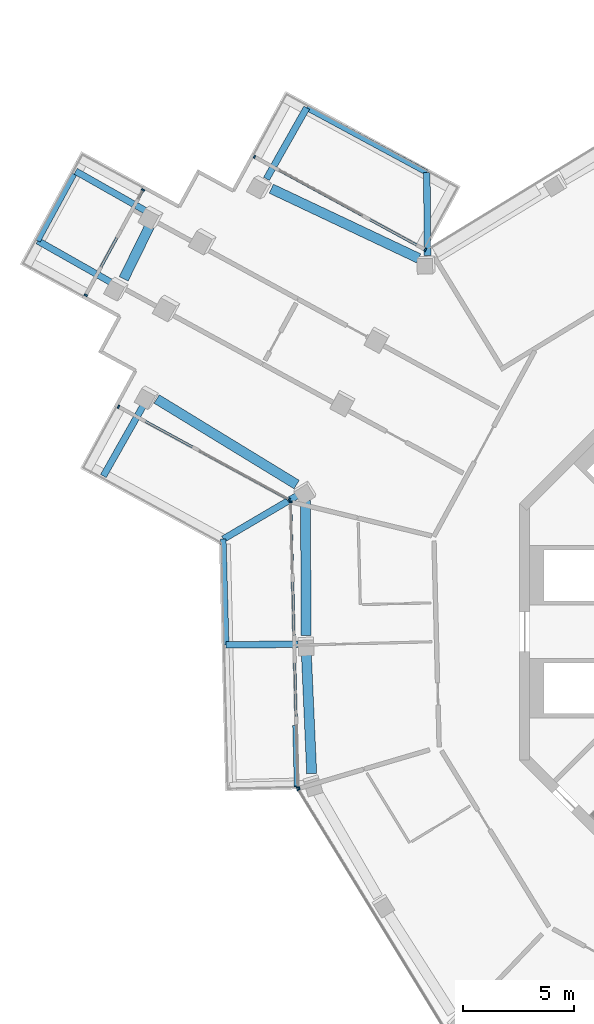
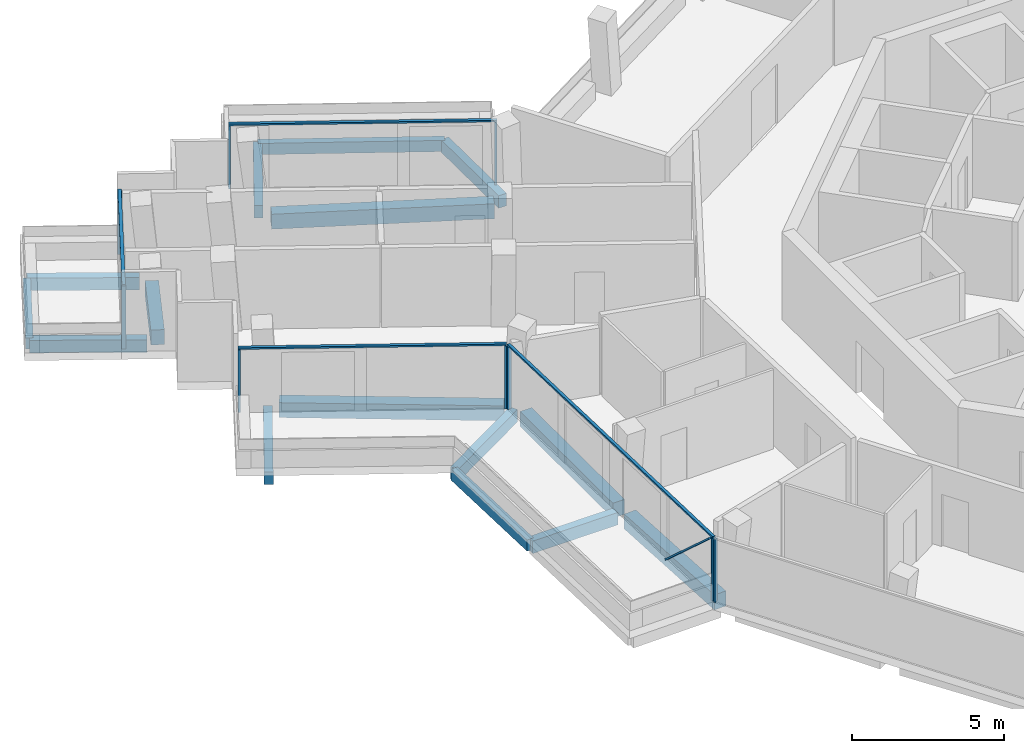
# One storey, part 5 of 26: 15 beams, 14 members, 5 elements without a shape of their own.
"""IFC4 building model written with IfcOpenShell, lengths in metres."""

from ifc_helpers import new_model, si_unit, direction, frame, origin, origin_2d, place, context, subcontext, project, spatial, rectangle, extrude, material, layer, layer_set, material_profile, profile_set, type_object, element, aggregate, save


model = new_model("IFC4")

# Units and contexts
model_context = context("Model", 3, precision=1e-05, world=origin(), true_north=direction((0.0, 1.0)))
body_context = subcontext(model_context, "Body", "Model", "MODEL_VIEW")
ifc_project = project(units=[si_unit("LENGTHUNIT", "METRE"), si_unit("AREAUNIT", "SQUARE_METRE"), si_unit("VOLUMEUNIT", "CUBIC_METRE"), si_unit("PLANEANGLEUNIT", "RADIAN"), si_unit("MASSUNIT", "GRAM", prefix="KILO")], contexts=[model_context])

# Site, building, storey
site_placement = place(None, origin())
site = spatial("IfcSite", under=ifc_project, at=site_placement, CompositionType="ELEMENT")
building_placement = place(site_placement, origin())
building = spatial("IfcBuilding", under=site, at=building_placement, Name="Verdalira Terraces Hotel", CompositionType="ELEMENT")
storey_placement = place(building_placement, frame((0.0, 0.0, 284.5)))
storey = spatial("IfcBuildingStorey", under=building, at=storey_placement, Name="L70", CompositionType="ELEMENT", Elevation=284.5)

# Beams
ifc_material_1 = material(Name="Concrete C40", Category="concrete")
ifc_material_profile_1 = material_profile(ifc_material_1, rectangle(XDim=0.300049, YDim=0.5, at=origin_2d()), Name="RC 300X500")
ifc_profile_set_1 = profile_set([ifc_material_profile_1], Name="Concrete C40")
beam_type_1 = type_object("IfcBeamType", Name="Balcony cantilever beam RC 300X500 C40", PredefinedType="BEAM", material=ifc_profile_set_1)
beam_1_placement = place(storey_placement, frame((-18.159668, 16.990479, -0.560059), z_axis=(-0.008385041, 0.999964845, 0.0), x_axis=(-0.999964845, -0.008385041, 0.0)))
element("IfcBeam", 1, at=beam_1_placement, inside=storey, type_object=beam_type_1, Name="Balcony cantilever beam R00-1", PredefinedType="BEAM", context=body_context, shape_type="SweptSolid", body=[
    extrude(rectangle(XDim=0.300049, YDim=0.5, at=origin_2d()), origin(), (0.0, 0.0, 1.0), 3.756104),
])
beam_2_placement = place(storey_placement, frame((-25.435303, 20.456299, -0.560059), z_axis=(0.492704004, 0.870196969, 0.0), x_axis=(-0.870196969, 0.492704004, 0.0)))
element("IfcBeam", 2, at=beam_2_placement, inside=storey, type_object=beam_type_1, Name="Balcony cantilever beam R00-2", PredefinedType="BEAM", context=body_context, shape_type="SweptSolid", body=[
    extrude(rectangle(XDim=0.300049, YDim=0.5, at=origin_2d()), origin(), (0.0, 0.0, 1.0), 3.693604),
])
beam_3_placement = place(storey_placement, frame((-30.821289, 18.972168, -0.560059), z_axis=(-0.87017442, 0.492743826, 0.0), x_axis=(-0.492743826, -0.87017442, 0.0)))
element("IfcBeam", 3, at=beam_3_placement, inside=storey, type_object=beam_type_1, Name="Balcony cantilever beam R05-1", PredefinedType="BEAM", context=body_context, shape_type="SweptSolid", body=[
    extrude(rectangle(XDim=0.300049, YDim=0.5, at=origin_2d()), origin(), (0.0, 0.0, 1.0), 3.713623),
])
beam_4_placement = place(storey_placement, frame((-32.397217, 15.753662, -0.560059), z_axis=(-0.870174651, 0.492743418, 0.0), x_axis=(-0.492743418, -0.870174651, 0.0)))
element("IfcBeam", 4, at=beam_4_placement, inside=storey, type_object=beam_type_1, Name="Balcony cantilever beam R05-2", PredefinedType="BEAM", context=body_context, shape_type="SweptSolid", body=[
    extrude(rectangle(XDim=0.300049, YDim=0.5, at=origin_2d()), origin(), (0.0, 0.0, 1.0), 3.868164),
])
beam_5_placement = place(storey_placement, frame((-23.976807, 6.19165, -0.560059), z_axis=(-0.861808672, -0.507233489, 0.0), x_axis=(0.507233489, -0.861808672, 0.0)))
element("IfcBeam", 5, at=beam_5_placement, inside=storey, type_object=beam_type_1, Name="Balcony cantilever beam R10-1", PredefinedType="BEAM", context=body_context, shape_type="SweptSolid", body=[
    extrude(rectangle(XDim=0.300049, YDim=0.5, at=origin_2d()), origin(), (0.0, 0.0, 1.0), 3.950195),
])
beam_6_placement = place(storey_placement, frame((-24.001465, -0.5625, -0.560059), z_axis=(-0.999965254, -0.008336173, 0.0), x_axis=(0.008336173, -0.999965254, 0.0)))
element("IfcBeam", 6, at=beam_6_placement, inside=storey, type_object=beam_type_1, Name="Balcony cantilever beam R10-2", PredefinedType="BEAM", context=body_context, shape_type="SweptSolid", body=[
    extrude(rectangle(XDim=0.300049, YDim=0.5, at=origin_2d()), origin(), (0.0, 0.0, 1.0), 3.250732),
])
beam_7_placement = place(storey_placement, frame((-30.912842, 10.367676, -0.560059), z_axis=(-0.492693911, -0.870202683, 0.0), x_axis=(0.870202683, -0.492693911, 0.0)))
element("IfcBeam", 7, at=beam_7_placement, inside=storey, type_object=beam_type_1, Name="Balcony cantilever beam R10-4", PredefinedType="BEAM", context=body_context, shape_type="SweptSolid", body=[
    extrude(rectangle(XDim=0.300049, YDim=0.5, at=origin_2d()), origin(), (0.0, 0.0, 1.0), 3.827881),
])
ifc_material_2 = material(Name="Concrete C40", Category="concrete")
ifc_material_profile_2 = material_profile(ifc_material_2, rectangle(XDim=0.25, YDim=0.449951, at=origin_2d()), Name="RC 250X450")
ifc_profile_set_2 = profile_set([ifc_material_profile_2], Name="Concrete C40")
beam_type_2 = type_object("IfcBeamType", Name="Balcony edge beam RC 250X450 C40", PredefinedType="BEAM", material=ifc_profile_set_2)
beam_8_placement = place(storey_placement, frame((-18.191162, 20.746338, -0.534912), z_axis=(-0.880248375, 0.474513223, 0.0), x_axis=(-0.474513223, -0.880248375, 0.0)))
element("IfcBeam", 8, at=beam_8_placement, inside=storey, type_object=beam_type_2, Name="Balcony edge beam R00-1", PredefinedType="BEAM", context=body_context, shape_type="SweptSolid", body=[
    extrude(rectangle(XDim=0.25, YDim=0.449951, at=origin_2d()), origin(), (0.0, 0.0, 1.0), 6.162354),
])
beam_9_placement = place(storey_placement, frame((-34.124512, 20.670166, -0.534912), z_axis=(-0.478083409, -0.878314439, 0.0), x_axis=(0.878314439, -0.478083409, 0.0)))
element("IfcBeam", 9, at=beam_9_placement, inside=storey, type_object=beam_type_2, Name="Balcony edge beam R05-1", PredefinedType="BEAM", context=body_context, shape_type="SweptSolid", body=[
    extrude(rectangle(XDim=0.25, YDim=0.449951, at=origin_2d()), origin(), (0.0, 0.0, 1.0), 3.42749),
])
beam_10_placement = place(storey_placement, frame((-27.381104, 4.187988, -0.534912), z_axis=(0.026971634, -0.999636199, 0.0), x_axis=(0.999636199, 0.026971634, 0.0)))
element("IfcBeam", 10, at=beam_10_placement, inside=storey, type_object=beam_type_2, Name="Balcony edge beam R10-1", PredefinedType="BEAM", context=body_context, shape_type="SweptSolid", body=[
    extrude(rectangle(XDim=0.25, YDim=0.449951, at=origin_2d()), origin(), (0.0, 0.0, 1.0), 4.779297),
])

# Curtain wall, members
ifc_material_3 = material(Name="Clear glass", Category="glass")
ifc_layer_1 = layer(ifc_material_3, 0.14990234375)
ifc_layer_set_1 = layer_set([ifc_layer_1], Name="CW1 curtain wall")
curtain_wall_type_1 = type_object("IfcCurtainWallType", Name="CW1 curtain wall", PredefinedType="NOTDEFINED", material=ifc_layer_set_1)
curtain_wall_1_placement = place(storey_placement, origin())
curtain_wall_1 = element("IfcCurtainWall", 11, at=curtain_wall_1_placement, inside=storey, type_object=curtain_wall_type_1, Name="CW1 curtain wall L70 edge 11", PredefinedType="NOTDEFINED")
ifc_material_4 = material(Name="Terracotta frame", Category="masonry")
ifc_material_profile_3 = material_profile(ifc_material_4, rectangle(XDim=0.060059, YDim=0.149902, at=origin_2d()), Name="MU 60x150")
ifc_profile_set_3 = profile_set([ifc_material_profile_3], Name="Terracotta frame")
member_type_1 = type_object("IfcMemberType", Name="CW1 mullion 60x150", PredefinedType="MULLION", material=ifc_profile_set_3)
member_1_placement = place(storey_placement, frame((-24.338379, 5.860107, 0.0), z_axis=(0.0, 0.0, 1.0), x_axis=(0.025130095, -0.999684189, 0.0)))
member_1 = element("IfcMember", 12, at=member_1_placement, type_object=member_type_1, Name="CW1 mullion", PredefinedType="MULLION", context=body_context, shape_type="SweptSolid", body=[
    extrude(rectangle(XDim=0.060059, YDim=0.149902, at=origin_2d()), origin(), (0.0, 0.0, 1.0), 2.524902),
])
member_2_placement = place(storey_placement, frame((-24.01416, -7.0354, 0.0), z_axis=(0.0, 0.0, 1.0), x_axis=(0.025130095, -0.999684189, 0.0)))
member_2 = element("IfcMember", 13, at=member_2_placement, type_object=member_type_1, Name="CW1 mullion", PredefinedType="MULLION", context=body_context, shape_type="SweptSolid", body=[
    extrude(rectangle(XDim=0.060059, YDim=0.149902, at=origin_2d()), origin(), (0.0, 0.0, 1.0), 2.524902),
])

# Curtain wall, member
curtain_wall_2_placement = place(storey_placement, origin())
curtain_wall_2 = element("IfcCurtainWall", 14, at=curtain_wall_2_placement, inside=storey, type_object=curtain_wall_type_1, Name="CW1 curtain wall L70 edge 12", PredefinedType="NOTDEFINED")
member_3_placement = place(storey_placement, frame((-23.986816, -7.128418, 0.0), z_axis=(0.0, 0.0, 1.0), x_axis=(0.521605396, -0.853186856, 0.0)))
member_3 = element("IfcMember", 15, at=member_3_placement, type_object=member_type_1, Name="CW1 mullion", PredefinedType="MULLION", context=body_context, shape_type="SweptSolid", body=[
    extrude(rectangle(XDim=0.060059, YDim=0.149902, at=origin_2d()), origin(), (0.0, 0.0, 1.0), 2.524902),
])
aggregate(curtain_wall_2, [member_3])

# Member
ifc_material_5 = material(Name="Terracotta frame", Category="masonry")
ifc_material_profile_4 = material_profile(ifc_material_5, rectangle(XDim=0.110107, YDim=0.064941, at=origin_2d()), Name="TR 65x110")
ifc_profile_set_4 = profile_set([ifc_material_profile_4], Name="Terracotta frame")
member_type_2 = type_object("IfcMemberType", Name="CW1 transom 65x110", PredefinedType="USERDEFINED", material=ifc_profile_set_4)
member_4_placement = place(storey_placement, frame((-24.339111, 5.890137, 2.557617), z_axis=(0.025130567, -0.999684177, 0.0), x_axis=(0.999684177, 0.025130567, 0.0)))
member_4 = element("IfcMember", 16, at=member_4_placement, type_object=member_type_2, Name="CW1 transom", ObjectType="TRANSOM", PredefinedType="USERDEFINED", context=body_context, shape_type="SweptSolid", body=[
    extrude(rectangle(XDim=0.110107, YDim=0.064941, at=origin_2d()), origin(), (0.0, 0.0, 1.0), 12.959717),
])

# Curtain wall, members
ifc_material_6 = material(Name="Clear glass", Category="glass")
ifc_layer_2 = layer(ifc_material_6, 0.14990234375)
ifc_layer_set_2 = layer_set([ifc_layer_2], Name="CW2 curtain wall")
curtain_wall_type_2 = type_object("IfcCurtainWallType", Name="CW2 curtain wall", PredefinedType="NOTDEFINED", material=ifc_layer_set_2)
curtain_wall_3_placement = place(storey_placement, origin())
curtain_wall_3 = element("IfcCurtainWall", 17, at=curtain_wall_3_placement, inside=storey, type_object=curtain_wall_type_2, Name="CW2 curtain wall L70 edge 0", PredefinedType="NOTDEFINED")
ifc_material_7 = material(Name="Terracotta frame", Category="masonry")
ifc_material_profile_5 = material_profile(ifc_material_7, rectangle(XDim=0.070068, YDim=0.149902, at=origin_2d()), Name="MU 70x150")
ifc_profile_set_5 = profile_set([ifc_material_profile_5], Name="Terracotta frame")
member_type_3 = type_object("IfcMemberType", Name="CW2 mullion 70x150", PredefinedType="MULLION", material=ifc_profile_set_5)
member_5_placement = place(storey_placement, frame((-18.265625, 17.257324, 0.0), z_axis=(0.0, 0.0, 1.0), x_axis=(-0.878316951, 0.478078794, 0.0)))
member_5 = element("IfcMember", 18, at=member_5_placement, type_object=member_type_3, Name="CW2 mullion", PredefinedType="MULLION", context=body_context, shape_type="SweptSolid", body=[
    extrude(rectangle(XDim=0.070068, YDim=0.149902, at=origin_2d()), origin(), (0.0, 0.0, 1.0), 2.524902),
])
member_6_placement = place(storey_placement, frame((-25.973389, 21.452881, 0.0), z_axis=(0.0, 0.0, 1.0), x_axis=(-0.878316951, 0.478078794, 0.0)))
member_6 = element("IfcMember", 19, at=member_6_placement, type_object=member_type_3, Name="CW2 mullion", PredefinedType="MULLION", context=body_context, shape_type="SweptSolid", body=[
    extrude(rectangle(XDim=0.070068, YDim=0.149902, at=origin_2d()), origin(), (0.0, 0.0, 1.0), 2.524902),
])

curtain_wall_4_placement = place(storey_placement, origin())
curtain_wall_4 = element("IfcCurtainWall", 20, at=curtain_wall_4_placement, inside=storey, type_object=curtain_wall_type_2, Name="CW2 curtain wall L70 edge 10", PredefinedType="NOTDEFINED")
member_7_placement = place(storey_placement, frame((-32.116699, 10.166504, 0.0), z_axis=(0.0, 0.0, 1.0), x_axis=(0.878316951, -0.478078794, 0.0)))
member_7 = element("IfcMember", 21, at=member_7_placement, type_object=member_type_3, Name="CW2 mullion", PredefinedType="MULLION", context=body_context, shape_type="SweptSolid", body=[
    extrude(rectangle(XDim=0.070068, YDim=0.149902, at=origin_2d()), origin(), (0.0, 0.0, 1.0), 2.524902),
])
member_8_placement = place(storey_placement, frame((-24.408936, 5.970947, 0.0), z_axis=(0.0, 0.0, 1.0), x_axis=(0.878316951, -0.478078794, 0.0)))
member_8 = element("IfcMember", 22, at=member_8_placement, type_object=member_type_3, Name="CW2 mullion", PredefinedType="MULLION", context=body_context, shape_type="SweptSolid", body=[
    extrude(rectangle(XDim=0.070068, YDim=0.149902, at=origin_2d()), origin(), (0.0, 0.0, 1.0), 2.524902),
])

# Member
ifc_material_8 = material(Name="Terracotta frame", Category="masonry")
ifc_material_profile_6 = material_profile(ifc_material_8, rectangle(XDim=0.11499, YDim=0.064941, at=origin_2d()), Name="TR 65x115")
ifc_profile_set_6 = profile_set([ifc_material_profile_6], Name="Terracotta frame")
member_type_4 = type_object("IfcMemberType", Name="CW2 transom 65x115", PredefinedType="USERDEFINED", material=ifc_profile_set_6)
member_9_placement = place(storey_placement, frame((-18.234863, 17.240479, 2.557617), z_axis=(-0.87831293, 0.478086182, 0.0), x_axis=(-0.478086182, -0.87831293, 0.0)))
member_9 = element("IfcMember", 23, at=member_9_placement, type_object=member_type_4, Name="CW2 transom", ObjectType="TRANSOM", PredefinedType="USERDEFINED", context=body_context, shape_type="SweptSolid", body=[
    extrude(rectangle(XDim=0.11499, YDim=0.064941, at=origin_2d()), origin(), (0.0, 0.0, 1.0), 8.845703),
])

aggregate(curtain_wall_3, [member_5, member_6, member_9])

member_10_placement = place(storey_placement, frame((-32.147461, 10.183105, 2.557617), z_axis=(0.87831293, -0.478086182, 0.0), x_axis=(0.478086182, 0.87831293, 0.0)))
member_10 = element("IfcMember", 24, at=member_10_placement, type_object=member_type_4, Name="CW2 transom", ObjectType="TRANSOM", PredefinedType="USERDEFINED", context=body_context, shape_type="SweptSolid", body=[
    extrude(rectangle(XDim=0.11499, YDim=0.064941, at=origin_2d()), origin(), (0.0, 0.0, 1.0), 8.845703),
])

aggregate(curtain_wall_4, [member_7, member_8, member_10])

# Curtain wall, members
ifc_material_9 = material(Name="Clear glass", Category="glass")
ifc_layer_3 = layer(ifc_material_9, 0.14990234375)
ifc_layer_set_3 = layer_set([ifc_layer_3], Name="CW3 curtain wall")
curtain_wall_type_3 = type_object("IfcCurtainWallType", Name="CW3 curtain wall", PredefinedType="NOTDEFINED", material=ifc_layer_set_3)
curtain_wall_5_placement = place(storey_placement, origin())
curtain_wall_5 = element("IfcCurtainWall", 25, at=curtain_wall_5_placement, inside=storey, type_object=curtain_wall_type_3, Name="CW3 curtain wall L70 edge 5", PredefinedType="NOTDEFINED")
ifc_material_10 = material(Name="Terracotta frame", Category="masonry")
ifc_material_profile_7 = material_profile(ifc_material_10, rectangle(XDim=0.080078, YDim=0.149902, at=origin_2d()), Name="MU 80x150")
ifc_profile_set_7 = profile_set([ifc_material_profile_7], Name="Terracotta frame")
member_type_5 = type_object("IfcMemberType", Name="CW3 mullion 80x150", PredefinedType="MULLION", material=ifc_profile_set_7)
member_11_placement = place(storey_placement, frame((-31.008057, 19.963623, 0.0), z_axis=(0.0, 0.0, 1.0), x_axis=(-0.478078794, -0.878316951, 0.0)))
member_11 = element("IfcMember", 26, at=member_11_placement, type_object=member_type_5, Name="CW3 mullion", PredefinedType="MULLION", context=body_context, shape_type="SweptSolid", body=[
    extrude(rectangle(XDim=0.080078, YDim=0.149902, at=origin_2d()), origin(), (0.0, 0.0, 1.0), 2.524902),
])
member_12_placement = place(storey_placement, frame((-33.599365, 15.203125, 0.0), z_axis=(0.0, 0.0, 1.0), x_axis=(-0.478078794, -0.878316951, 0.0)))
member_12 = element("IfcMember", 27, at=member_12_placement, type_object=member_type_5, Name="CW3 mullion", PredefinedType="MULLION", context=body_context, shape_type="SweptSolid", body=[
    extrude(rectangle(XDim=0.080078, YDim=0.149902, at=origin_2d()), origin(), (0.0, 0.0, 1.0), 2.524902),
])
ifc_material_11 = material(Name="Terracotta frame", Category="masonry")
ifc_material_profile_8 = material_profile(ifc_material_11, rectangle(XDim=0.120117, YDim=0.064941, at=origin_2d()), Name="TR 65x120")
ifc_profile_set_8 = profile_set([ifc_material_profile_8], Name="Terracotta frame")
member_type_6 = type_object("IfcMemberType", Name="CW3 transom 65x120", PredefinedType="USERDEFINED", material=ifc_profile_set_8)
member_13_placement = place(storey_placement, frame((-30.989014, 19.998779, 2.557617), z_axis=(-0.478068208, -0.878322713, 0.0), x_axis=(0.878322713, -0.478068208, 0.0)))
member_13 = element("IfcMember", 28, at=member_13_placement, type_object=member_type_6, Name="CW3 transom", ObjectType="TRANSOM", PredefinedType="USERDEFINED", context=body_context, shape_type="SweptSolid", body=[
    extrude(rectangle(XDim=0.120117, YDim=0.064941, at=origin_2d()), origin(), (0.0, 0.0, 1.0), 5.5),
])
aggregate(curtain_wall_5, [member_11, member_12, member_13])

# Member
ifc_material_12 = material(Name="Terracotta frame", Category="masonry")
ifc_material_profile_9 = material_profile(ifc_material_12, rectangle(XDim=0.149902, YDim=0.060059, at=origin_2d()), Name="GB 60x150")
ifc_profile_set_9 = profile_set([ifc_material_profile_9], Name="Terracotta frame")
member_type_7 = type_object("IfcMemberType", Name="Diagonal glazing bar 60x150", PredefinedType="USERDEFINED", material=ifc_profile_set_9)
member_14_placement = place(storey_placement, frame((-24.17334, -4.246094, 0.023682), z_axis=(0.018650004, -0.741040068, 0.671201754), x_axis=(0.999683453, 0.025159369, 0.0)))
member_14 = element("IfcMember", 29, at=member_14_placement, type_object=member_type_7, Name="Diagonal glazing bar", ObjectType="GLAZING BAR", PredefinedType="USERDEFINED", context=body_context, shape_type="SweptSolid", body=[
    extrude(rectangle(XDim=0.149902, YDim=0.060059, at=origin_2d()), origin(), (0.0, 0.0, 1.0), 3.69165),
])

aggregate(curtain_wall_1, [member_1, member_2, member_4, member_14])

# Beams
ifc_material_13 = material(Name="Concrete C40", Category="concrete")
ifc_material_profile_10 = material_profile(ifc_material_13, rectangle(XDim=0.449951, YDim=0.600098, at=origin_2d()), Name="RC 450X600")
ifc_profile_set_10 = profile_set([ifc_material_profile_10], Name="Concrete C40")
beam_type_3 = type_object("IfcBeamType", Name="Spandrel beam RC 450X600 C40", PredefinedType="SPANDREL", material=ifc_profile_set_10)
beam_11_placement = place(storey_placement, frame((-18.555176, 16.866211, -0.610107), z_axis=(-0.904079717, 0.427363855, 0.0), x_axis=(-0.427363855, -0.904079717, 0.0)))
element("IfcBeam", 30, at=beam_11_placement, inside=storey, type_object=beam_type_3, Name="Spandrel beam B01", PredefinedType="SPANDREL", context=body_context, shape_type="SweptSolid", body=[
    extrude(rectangle(XDim=0.449951, YDim=0.600098, at=origin_2d()), origin(), (0.0, 0.0, 1.0), 7.365967),
])
beam_12_placement = place(storey_placement, frame((-30.627686, 18.497314, -0.610107), z_axis=(-0.44091844, -0.897547174, 0.0), x_axis=(0.897547174, -0.44091844, 0.0)))
element("IfcBeam", 31, at=beam_12_placement, inside=storey, type_object=beam_type_3, Name="Spandrel beam B02", PredefinedType="SPANDREL", context=body_context, shape_type="SweptSolid", body=[
    extrude(rectangle(XDim=0.449951, YDim=0.600098, at=origin_2d()), origin(), (0.0, 0.0, 1.0), 2.84375),
])
beam_13_placement = place(storey_placement, frame((-30.391357, 10.513672, -0.610107), z_axis=(0.853236214, -0.521524653, 0.0), x_axis=(0.521524653, 0.853236214, 0.0)))
element("IfcBeam", 32, at=beam_13_placement, inside=storey, type_object=beam_type_3, Name="Spandrel beam B03", PredefinedType="SPANDREL", context=body_context, shape_type="SweptSolid", body=[
    extrude(rectangle(XDim=0.449951, YDim=0.600098, at=origin_2d()), origin(), (0.0, 0.0, 1.0), 7.408691),
])
beam_14_placement = place(storey_placement, frame((-23.664795, 5.924072, -0.610107), z_axis=(0.002002078, -0.999997996, 0.0), x_axis=(0.999997996, 0.002002078, 0.0)))
element("IfcBeam", 33, at=beam_14_placement, inside=storey, type_object=beam_type_3, Name="Spandrel beam B04", PredefinedType="SPANDREL", context=body_context, shape_type="SweptSolid", body=[
    extrude(rectangle(XDim=0.449951, YDim=0.600098, at=origin_2d()), origin(), (0.0, 0.0, 1.0), 6.097168),
])
beam_15_placement = place(storey_placement, frame((-23.635986, -0.887451, -0.610107), z_axis=(0.04443886, -0.999012106, 0.0), x_axis=(0.999012106, 0.04443886, 0.0)))
element("IfcBeam", 34, at=beam_15_placement, inside=storey, type_object=beam_type_3, Name="Spandrel beam B05", PredefinedType="SPANDREL", context=body_context, shape_type="SweptSolid", body=[
    extrude(rectangle(XDim=0.449951, YDim=0.600098, at=origin_2d()), origin(), (0.0, 0.0, 1.0), 5.52124),
])

save(model, "model.ifc")
